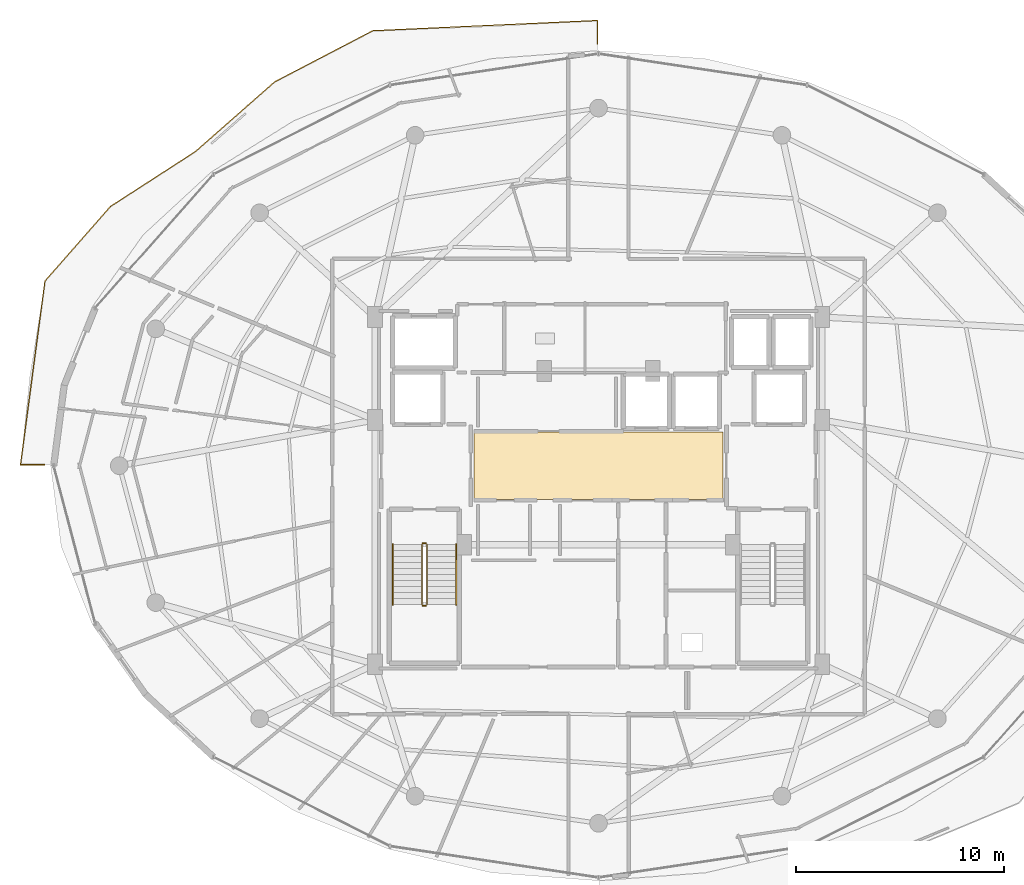
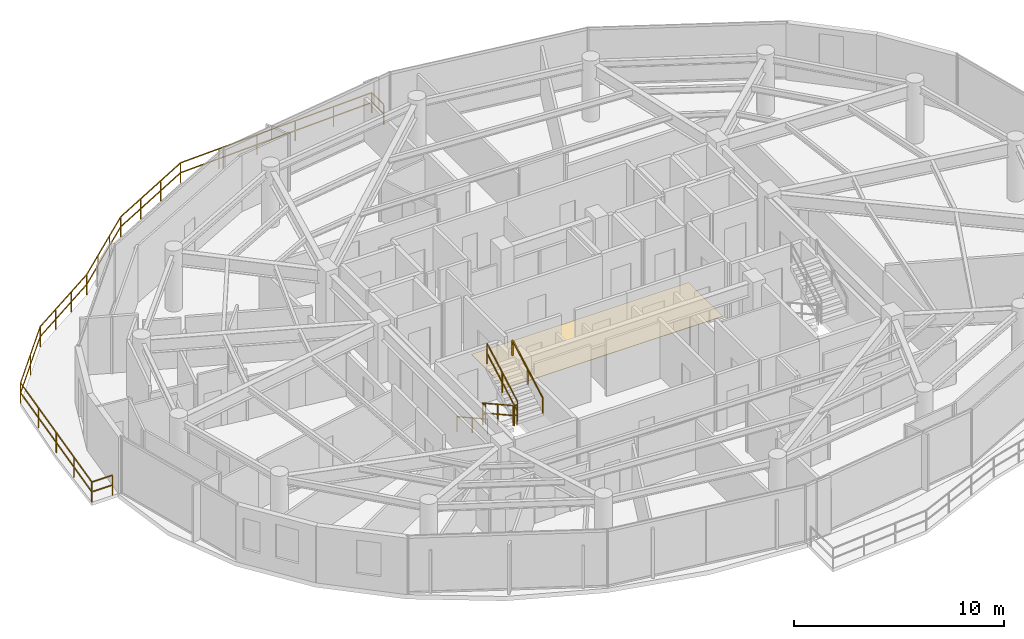
# One storey, part 27 of 30: 8 railings, 1 covering.
"""IFC4 building model written with IfcOpenShell, lengths in metres."""

from ifc_helpers import new_model, si_unit, direction, frame, origin, origin_2d, place, context, subcontext, project, spatial, polyline, rectangle, outline, extrude, material, layer, layer_set, type_object, element, save


model = new_model("IFC4")

# Units and contexts
model_context = context("Model", 3, precision=1e-05, world=origin(), true_north=direction((0.0, 1.0)))
body_context = subcontext(model_context, "Body", "Model", "MODEL_VIEW")
ifc_project = project(units=[si_unit("LENGTHUNIT", "METRE"), si_unit("AREAUNIT", "SQUARE_METRE"), si_unit("VOLUMEUNIT", "CUBIC_METRE"), si_unit("PLANEANGLEUNIT", "RADIAN"), si_unit("MASSUNIT", "GRAM", prefix="KILO")], contexts=[model_context])

# Site, building, storey
site_placement = place(None, origin())
site = spatial("IfcSite", under=ifc_project, at=site_placement, CompositionType="ELEMENT")
building_placement = place(site_placement, origin())
building = spatial("IfcBuilding", under=site, at=building_placement, Name="Vorneva Point Tower", CompositionType="ELEMENT")
storey_placement = place(building_placement, frame((0.0, 0.0, 241.35009765625)))
storey = spatial("IfcBuildingStorey", under=building, at=storey_placement, Name="L65", CompositionType="ELEMENT", Elevation=241.35009765625)

# Covering
ifc_material_1 = material(Name="Acoustic wool hospitality carpet", Category="textile")
ifc_layer = layer(ifc_material_1, 0.01806640625)
ifc_layer_set = layer_set([ifc_layer], Name="Acoustic wool hospitality carpet")
covering_type = type_object("IfcCoveringType", Name="COV-FLR-CRP", PredefinedType="FLOORING", material=ifc_layer_set)
covering_placement = place(storey_placement, frame((0.0, 0.0, -0.005126953125)))
element("IfcCovering", 1, at=covering_placement, inside=storey, type_object=covering_type, Name="L65 Lift Lobby Floor Finish", PredefinedType="FLOORING", context=body_context, shape_type="SweptSolid", body=[
    extrude(outline(polyline([(32.02001953125, 24.3701171875), (43.97998046875, 24.3701171875), (43.97998046875, 27.6298828125), (32.02001953125, 27.6298828125), (32.02001953125, 24.3701171875)])), origin(), (0.0, 0.0, 1.0), 0.02294921875),
])

# Railings
ifc_material_2 = material(Name="Pale anodised aluminium", Category="aluminium")
railing_type_1 = type_object("IfcRailingType", Name="RL-BAL-1200", PredefinedType="BALUSTRADE", material=ifc_material_2)
railing_1_placement = place(storey_placement, frame((10.2001953125, 26.050048828125, 0.0)))
element("IfcRailing", 2, at=railing_1_placement, inside=storey, type_object=railing_type_1, Name="L65 Wave Balcony Balustrade NW.1", PredefinedType="BALUSTRADE", context=body_context, shape_type="SweptSolid", body=[
    extrude(rectangle(XDim=0.048095703125, YDim=0.048095703125, at=origin_2d()), frame((0.0, 0.0, 1.17578125), z_axis=(1.0, 0.0, 0.0), x_axis=(0.0, 1.0, 0.0)), (0.0, 0.0, 1.0), 1.133544921875),
    extrude(rectangle(XDim=0.048095703125, YDim=0.048095703125, at=origin_2d()), frame((0.0, 0.0, 0.60009765625), z_axis=(1.0, 0.0, 0.0), x_axis=(0.0, 1.0, 0.0)), (0.0, 0.0, 1.0), 1.133544921875),
    extrude(rectangle(XDim=0.0419921875, YDim=0.0419921875, at=origin_2d()), origin(), (0.0, 0.0, 1.0), 1.15185546875),
    extrude(rectangle(XDim=0.0419921875, YDim=0.0419921875, at=origin_2d()), frame((1.133544921875, 0.0, 0.0)), (0.0, 0.0, 1.0), 1.15185546875),
])
railing_2_placement = place(storey_placement, frame((37.949951171875, 46.277099609375, 0.0)))
element("IfcRailing", 3, at=railing_2_placement, inside=storey, type_object=railing_type_1, Name="L65 Wave Balcony Balustrade NW.2", PredefinedType="BALUSTRADE", context=body_context, shape_type="SweptSolid", body=[
    extrude(rectangle(XDim=0.048095703125, YDim=0.048095703125, at=origin_2d()), frame((0.0, 0.0, 1.17578125), z_axis=(0.0, 1.0, 0.0), x_axis=(-1.0, 0.0, 0.0)), (0.0, 0.0, 1.0), 1.13525390625),
    extrude(rectangle(XDim=0.048095703125, YDim=0.048095703125, at=origin_2d()), frame((0.0, 0.0, 0.60009765625), z_axis=(0.0, 1.0, 0.0), x_axis=(-1.0, 0.0, 0.0)), (0.0, 0.0, 1.0), 1.13525390625),
    extrude(rectangle(XDim=0.048095703125, YDim=0.048095703125, at=origin_2d()), frame((0.0, 1.13525390625, 1.17578125), z_axis=(-0.998957066203, -0.045659389865, 0.0), x_axis=(0.045659389865, -0.998957066203, 0.0)), (0.0, 0.0, 1.0), 10.822265625),
    extrude(rectangle(XDim=0.048095703125, YDim=0.048095703125, at=origin_2d()), frame((0.0, 1.13525390625, 0.60009765625), z_axis=(-0.998957066203, -0.045659389865, 0.0), x_axis=(0.045659389865, -0.998957066203, 0.0)), (0.0, 0.0, 1.0), 10.822265625),
    extrude(rectangle(XDim=0.048095703125, YDim=0.048095703125, at=origin_2d()), frame((-10.81103515625, 0.64111328125, 1.17578125), z_axis=(-0.88676959211, -0.462211737744, 0.0), x_axis=(0.462211737744, -0.88676959211, 0.0)), (0.0, 0.0, 1.0), 5.3232421875),
    extrude(rectangle(XDim=0.048095703125, YDim=0.048095703125, at=origin_2d()), frame((-10.81103515625, 0.64111328125, 0.60009765625), z_axis=(-0.88676959211, -0.462211737744, 0.0), x_axis=(0.462211737744, -0.88676959211, 0.0)), (0.0, 0.0, 1.0), 5.3232421875),
    extrude(rectangle(XDim=0.048095703125, YDim=0.048095703125, at=origin_2d()), frame((-15.531494140625, -1.8193359375, 1.17578125), z_axis=(-0.750846331225, -0.660476938951, 0.0), x_axis=(0.660476938951, -0.750846331225, 0.0)), (0.0, 0.0, 1.0), 5.068115234375),
    extrude(rectangle(XDim=0.048095703125, YDim=0.048095703125, at=origin_2d()), frame((-15.531494140625, -1.8193359375, 0.60009765625), z_axis=(-0.750846331225, -0.660476938951, 0.0), x_axis=(0.660476938951, -0.750846331225, 0.0)), (0.0, 0.0, 1.0), 5.068115234375),
    extrude(rectangle(XDim=0.048095703125, YDim=0.048095703125, at=origin_2d()), frame((-19.3369140625, -5.166748046875, 1.17578125), z_axis=(-0.839922649831, -0.542706128859, 0.0), x_axis=(0.542706128859, -0.839922649831, 0.0)), (0.0, 0.0, 1.0), 4.8662109375),
    extrude(rectangle(XDim=0.048095703125, YDim=0.048095703125, at=origin_2d()), frame((-19.3369140625, -5.166748046875, 0.60009765625), z_axis=(-0.839922649831, -0.542706128859, 0.0), x_axis=(0.542706128859, -0.839922649831, 0.0)), (0.0, 0.0, 1.0), 4.8662109375),
    extrude(rectangle(XDim=0.048095703125, YDim=0.048095703125, at=origin_2d()), frame((-23.424072265625, -7.8076171875, 1.17578125), z_axis=(-0.659854728007, -0.751393197951, 0.0), x_axis=(0.751393197951, -0.659854728007, 0.0)), (0.0, 0.0, 1.0), 4.771484375),
    extrude(rectangle(XDim=0.048095703125, YDim=0.048095703125, at=origin_2d()), frame((-23.424072265625, -7.8076171875, 0.60009765625), z_axis=(-0.659854728007, -0.751393197951, 0.0), x_axis=(0.751393197951, -0.659854728007, 0.0)), (0.0, 0.0, 1.0), 4.771484375),
    extrude(rectangle(XDim=0.048095703125, YDim=0.048095703125, at=origin_2d()), frame((-26.572509765625, -11.392822265625, 1.17578125), z_axis=(-0.132091946116, -0.991237467901, 0.0), x_axis=(0.991237467901, -0.132091946116, 0.0)), (0.0, 0.0, 1.0), 8.912353515625),
    extrude(rectangle(XDim=0.048095703125, YDim=0.048095703125, at=origin_2d()), frame((-26.572509765625, -11.392822265625, 0.60009765625), z_axis=(-0.132091946116, -0.991237467901, 0.0), x_axis=(0.991237467901, -0.132091946116, 0.0)), (0.0, 0.0, 1.0), 8.912353515625),
    extrude(rectangle(XDim=0.0419921875, YDim=0.0419921875, at=origin_2d()), origin(), (0.0, 0.0, 1.0), 1.15185546875),
    extrude(rectangle(XDim=0.0419921875, YDim=0.0419921875, at=origin_2d()), frame((0.0, 1.13525390625, 0.0)), (0.0, 0.0, 1.0), 1.15185546875),
    extrude(rectangle(XDim=0.0419921875, YDim=0.0419921875, at=origin_2d()), frame((-2.162109375, 1.036376953125, 0.0)), (0.0, 0.0, 1.0), 1.15185546875),
    extrude(rectangle(XDim=0.0419921875, YDim=0.0419921875, at=origin_2d()), frame((-4.324462890625, 0.9375, 0.0)), (0.0, 0.0, 1.0), 1.15185546875),
    extrude(rectangle(XDim=0.0419921875, YDim=0.0419921875, at=origin_2d()), frame((-6.486572265625, 0.8388671875, 0.0)), (0.0, 0.0, 1.0), 1.15185546875),
    extrude(rectangle(XDim=0.0419921875, YDim=0.0419921875, at=origin_2d()), frame((-8.64892578125, 0.739990234375, 0.0)), (0.0, 0.0, 1.0), 1.15185546875),
    extrude(rectangle(XDim=0.0419921875, YDim=0.0419921875, at=origin_2d()), frame((-10.81103515625, 0.64111328125, 0.0)), (0.0, 0.0, 1.0), 1.15185546875),
    extrude(rectangle(XDim=0.0419921875, YDim=0.0419921875, at=origin_2d()), frame((-12.384521484375, -0.178955078125, 0.0)), (0.0, 0.0, 1.0), 1.15185546875),
    extrude(rectangle(XDim=0.0419921875, YDim=0.0419921875, at=origin_2d()), frame((-13.9580078125, -0.999267578125, 0.0)), (0.0, 0.0, 1.0), 1.15185546875),
    extrude(rectangle(XDim=0.0419921875, YDim=0.0419921875, at=origin_2d()), frame((-15.531494140625, -1.8193359375, 0.0)), (0.0, 0.0, 1.0), 1.15185546875),
    extrude(rectangle(XDim=0.0419921875, YDim=0.0419921875, at=origin_2d()), frame((-16.800048828125, -2.93505859375, 0.0)), (0.0, 0.0, 1.0), 1.15185546875),
    extrude(rectangle(XDim=0.0419921875, YDim=0.0419921875, at=origin_2d()), frame((-18.068359375, -4.051025390625, 0.0)), (0.0, 0.0, 1.0), 1.15185546875),
    extrude(rectangle(XDim=0.0419921875, YDim=0.0419921875, at=origin_2d()), frame((-19.3369140625, -5.166748046875, 0.0)), (0.0, 0.0, 1.0), 1.15185546875),
    extrude(rectangle(XDim=0.0419921875, YDim=0.0419921875, at=origin_2d()), frame((-20.69921875, -6.047119140625, 0.0)), (0.0, 0.0, 1.0), 1.15185546875),
    extrude(rectangle(XDim=0.0419921875, YDim=0.0419921875, at=origin_2d()), frame((-22.061767578125, -6.92724609375, 0.0)), (0.0, 0.0, 1.0), 1.15185546875),
    extrude(rectangle(XDim=0.0419921875, YDim=0.0419921875, at=origin_2d()), frame((-23.424072265625, -7.8076171875, 0.0)), (0.0, 0.0, 1.0), 1.15185546875),
    extrude(rectangle(XDim=0.0419921875, YDim=0.0419921875, at=origin_2d()), frame((-24.998291015625, -9.60009765625, 0.0)), (0.0, 0.0, 1.0), 1.15185546875),
    extrude(rectangle(XDim=0.0419921875, YDim=0.0419921875, at=origin_2d()), frame((-26.572509765625, -11.392822265625, 0.0)), (0.0, 0.0, 1.0), 1.15185546875),
    extrude(rectangle(XDim=0.0419921875, YDim=0.0419921875, at=origin_2d()), frame((-26.86669921875, -13.601318359375, 0.0)), (0.0, 0.0, 1.0), 1.15185546875),
    extrude(rectangle(XDim=0.0419921875, YDim=0.0419921875, at=origin_2d()), frame((-27.1611328125, -15.81005859375, 0.0)), (0.0, 0.0, 1.0), 1.15185546875),
    extrude(rectangle(XDim=0.0419921875, YDim=0.0419921875, at=origin_2d()), frame((-27.45556640625, -18.0185546875, 0.0)), (0.0, 0.0, 1.0), 1.15185546875),
    extrude(rectangle(XDim=0.0419921875, YDim=0.0419921875, at=origin_2d()), frame((-27.749755859375, -20.22705078125, 0.0)), (0.0, 0.0, 1.0), 1.15185546875),
])
ifc_material_3 = material(Name="Brushed stainless steel S304", Category="steel")
railing_type_2 = type_object("IfcRailingType", Name="RL-HND-920", PredefinedType="HANDRAIL", material=ifc_material_3)
railing_3_placement = place(storey_placement, frame((28.10009765625, 22.219970703125, 0.161376953125)))
element("IfcRailing", 4, at=railing_3_placement, inside=storey, type_object=railing_type_2, Name="L65 ST1 stair handrail 1", PredefinedType="HANDRAIL", context=body_context, shape_type="SweptSolid", body=[
    extrude(rectangle(XDim=0.048095703125, YDim=0.048095703125, at=origin_2d()), frame((0.0, 0.0, 0.8759765625), z_axis=(0.0, -0.873841303929, 0.486211245805), x_axis=(1.0, 0.0, 0.0)), (0.0, 0.0, 1.0), 3.318603515625),
    extrude(rectangle(XDim=0.0419921875, YDim=0.0419921875, at=origin_2d()), origin(), (0.0, 0.0, 1.0), 0.851806640625),
    extrude(rectangle(XDim=0.0419921875, YDim=0.0419921875, at=origin_2d()), frame((0.0, -1.449951171875, 0.806640625)), (0.0, 0.0, 1.0), 0.851806640625),
    extrude(rectangle(XDim=0.0419921875, YDim=0.0419921875, at=origin_2d()), frame((0.0, -2.89990234375, 1.613525390625)), (0.0, 0.0, 1.0), 0.851806640625),
])
railing_4_placement = place(storey_placement, frame((31.14990234375, 19.320068359375, 1.936279296875)))
element("IfcRailing", 5, at=railing_4_placement, inside=storey, type_object=railing_type_2, Name="L65 ST1 stair handrail 2", PredefinedType="HANDRAIL", context=body_context, shape_type="SweptSolid", body=[
    extrude(rectangle(XDim=0.048095703125, YDim=0.048095703125, at=origin_2d()), frame((0.0, 0.0, 0.8759765625), z_axis=(0.0, 0.873841303929, 0.486211245805), x_axis=(-1.0, 0.0, 0.0)), (0.0, 0.0, 1.0), 3.318603515625),
    extrude(rectangle(XDim=0.0419921875, YDim=0.0419921875, at=origin_2d()), origin(), (0.0, 0.0, 1.0), 0.851806640625),
    extrude(rectangle(XDim=0.0419921875, YDim=0.0419921875, at=origin_2d()), frame((0.0, 1.449951171875, 0.806640625)), (0.0, 0.0, 1.0), 0.851806640625),
    extrude(rectangle(XDim=0.0419921875, YDim=0.0419921875, at=origin_2d()), frame((0.0, 2.89990234375, 1.613525390625)), (0.0, 0.0, 1.0), 0.851806640625),
])
railing_type_3 = type_object("IfcRailingType", Name="RL-STG-1100", PredefinedType="GUARDRAIL", material=ifc_material_3)
railing_5_placement = place(storey_placement, frame((29.5, 22.219970703125, 0.161376953125)))
element("IfcRailing", 6, at=railing_5_placement, inside=storey, type_object=railing_type_3, Name="L65 ST1 stair guard 1", PredefinedType="GUARDRAIL", context=body_context, shape_type="SweptSolid", body=[
    extrude(rectangle(XDim=0.048095703125, YDim=0.048095703125, at=origin_2d()), frame((0.0, 0.0, 1.17578125), z_axis=(0.0, -0.873841303929, 0.486211245805), x_axis=(1.0, 0.0, 0.0)), (0.0, 0.0, 1.0), 3.318603515625),
    extrude(rectangle(XDim=0.048095703125, YDim=0.048095703125, at=origin_2d()), frame((0.0, 0.0, 0.60009765625), z_axis=(0.0, -0.873841303929, 0.486211245805), x_axis=(1.0, 0.0, 0.0)), (0.0, 0.0, 1.0), 3.318603515625),
    extrude(rectangle(XDim=0.0419921875, YDim=0.0419921875, at=origin_2d()), origin(), (0.0, 0.0, 1.0), 1.15185546875),
    extrude(rectangle(XDim=0.0419921875, YDim=0.0419921875, at=origin_2d()), frame((0.0, -1.449951171875, 0.806640625)), (0.0, 0.0, 1.0), 1.15185546875),
    extrude(rectangle(XDim=0.0419921875, YDim=0.0419921875, at=origin_2d()), frame((0.0, -2.89990234375, 1.613525390625)), (0.0, 0.0, 1.0), 1.15185546875),
])
railing_6_placement = place(storey_placement, frame((29.550048828125, 19.27001953125, 1.77490234375)))
element("IfcRailing", 7, at=railing_6_placement, inside=storey, type_object=railing_type_3, Name="L65 ST1 stair guard 2", PredefinedType="GUARDRAIL", context=body_context, shape_type="SweptSolid", body=[
    extrude(rectangle(XDim=0.048095703125, YDim=0.048095703125, at=origin_2d()), frame((0.0, 0.0, 1.17578125), z_axis=(1.0, 0.0, 0.0), x_axis=(0.0, 1.0, 0.0)), (0.0, 0.0, 1.0), 0.14990234375),
    extrude(rectangle(XDim=0.048095703125, YDim=0.048095703125, at=origin_2d()), frame((0.0, 0.0, 0.60009765625), z_axis=(1.0, 0.0, 0.0), x_axis=(0.0, 1.0, 0.0)), (0.0, 0.0, 1.0), 0.14990234375),
    extrude(rectangle(XDim=0.0419921875, YDim=0.0419921875, at=origin_2d()), origin(), (0.0, 0.0, 1.0), 1.15185546875),
    extrude(rectangle(XDim=0.0419921875, YDim=0.0419921875, at=origin_2d()), frame((0.14990234375, 0.0, 0.0)), (0.0, 0.0, 1.0), 1.15185546875),
])
railing_7_placement = place(storey_placement, frame((29.75, 19.320068359375, 1.936279296875)))
element("IfcRailing", 8, at=railing_7_placement, inside=storey, type_object=railing_type_3, Name="L65 ST1 stair guard 3", PredefinedType="GUARDRAIL", context=body_context, shape_type="SweptSolid", body=[
    extrude(rectangle(XDim=0.048095703125, YDim=0.048095703125, at=origin_2d()), frame((0.0, 0.0, 1.17578125), z_axis=(0.0, 0.873841303929, 0.486211245805), x_axis=(-1.0, 0.0, 0.0)), (0.0, 0.0, 1.0), 3.318603515625),
    extrude(rectangle(XDim=0.048095703125, YDim=0.048095703125, at=origin_2d()), frame((0.0, 0.0, 0.60009765625), z_axis=(0.0, 0.873841303929, 0.486211245805), x_axis=(-1.0, 0.0, 0.0)), (0.0, 0.0, 1.0), 3.318603515625),
    extrude(rectangle(XDim=0.0419921875, YDim=0.0419921875, at=origin_2d()), origin(), (0.0, 0.0, 1.0), 1.15185546875),
    extrude(rectangle(XDim=0.0419921875, YDim=0.0419921875, at=origin_2d()), frame((0.0, 1.449951171875, 0.806640625)), (0.0, 0.0, 1.0), 1.15185546875),
    extrude(rectangle(XDim=0.0419921875, YDim=0.0419921875, at=origin_2d()), frame((0.0, 2.89990234375, 1.613525390625)), (0.0, 0.0, 1.0), 1.15185546875),
])
railing_8_placement = place(storey_placement, frame((29.550048828125, 22.27001953125, 0.0)))
element("IfcRailing", 9, at=railing_8_placement, inside=storey, type_object=railing_type_3, Name="L65 ST1 stair guard 4", PredefinedType="GUARDRAIL", context=body_context, shape_type="SweptSolid", body=[
    extrude(rectangle(XDim=0.048095703125, YDim=0.048095703125, at=origin_2d()), frame((0.0, 0.0, 1.17578125), z_axis=(1.0, 0.0, 0.0), x_axis=(0.0, 1.0, 0.0)), (0.0, 0.0, 1.0), 0.14990234375),
    extrude(rectangle(XDim=0.048095703125, YDim=0.048095703125, at=origin_2d()), frame((0.0, 0.0, 0.60009765625), z_axis=(1.0, 0.0, 0.0), x_axis=(0.0, 1.0, 0.0)), (0.0, 0.0, 1.0), 0.14990234375),
    extrude(rectangle(XDim=0.0419921875, YDim=0.0419921875, at=origin_2d()), origin(), (0.0, 0.0, 1.0), 1.15185546875),
    extrude(rectangle(XDim=0.0419921875, YDim=0.0419921875, at=origin_2d()), frame((0.14990234375, 0.0, 0.0)), (0.0, 0.0, 1.0), 1.15185546875),
])

save(model, "model.ifc")
